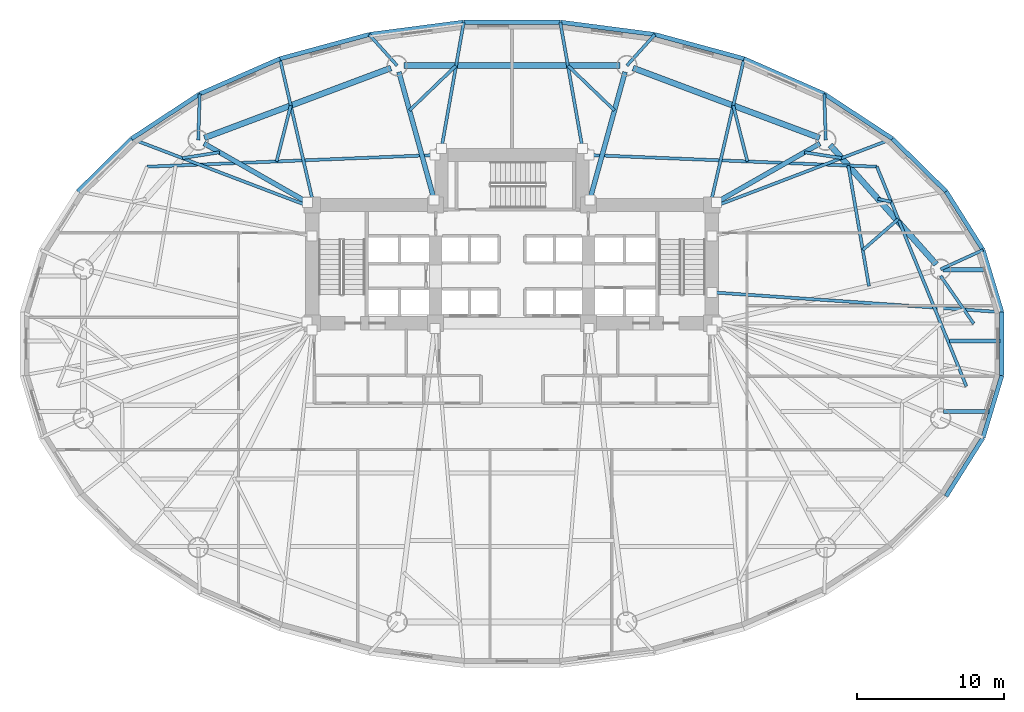
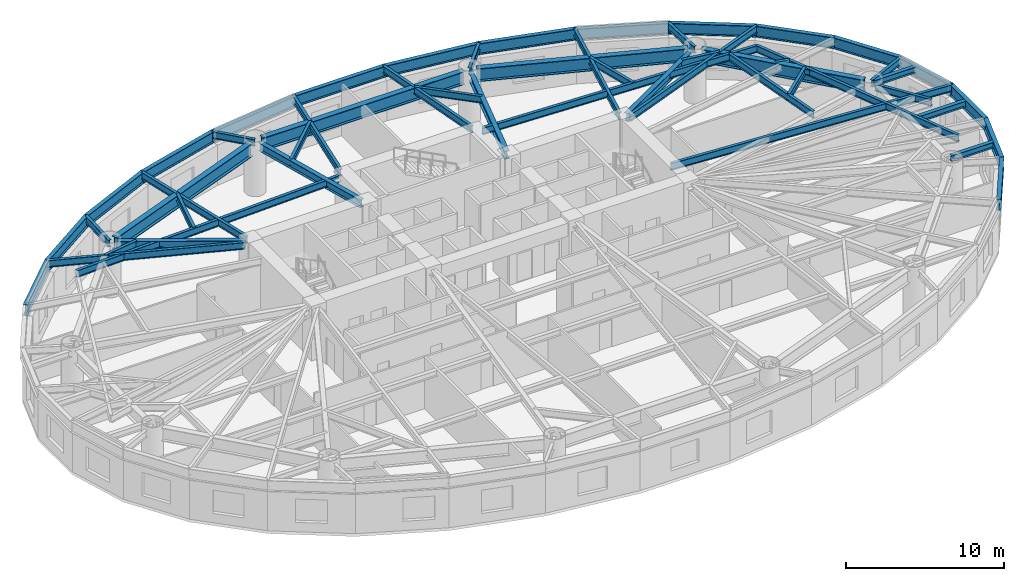
# One storey, part 3 of 14: 52 beams.
"""IFC4 building model written with IfcOpenShell, lengths in metres."""

from ifc_helpers import new_model, si_unit, direction, frame, origin, origin_2d, place, context, subcontext, project, spatial, i_section, extrude, material, material_profile, profile_set, type_object, element, save


model = new_model("IFC4")

# Units and contexts
model_context = context("Model", 3, precision=1e-05, world=origin(), true_north=direction((0.0, 1.0)))
body_context = subcontext(model_context, "Body", "Model", "MODEL_VIEW")
ifc_project = project(units=[si_unit("LENGTHUNIT", "METRE"), si_unit("AREAUNIT", "SQUARE_METRE"), si_unit("VOLUMEUNIT", "CUBIC_METRE"), si_unit("PLANEANGLEUNIT", "RADIAN"), si_unit("MASSUNIT", "GRAM", prefix="KILO")], contexts=[model_context])

# Site, building, storey
site_placement = place(None, origin())
site = spatial("IfcSite", under=ifc_project, at=site_placement, CompositionType="ELEMENT")
building_placement = place(site_placement, origin())
building = spatial("IfcBuilding", under=site, at=building_placement, Name="Keldmark Tower", CompositionType="ELEMENT")
storey_placement = place(building_placement, frame((0.0, 0.0, 14.39990234375)))
storey = spatial("IfcBuildingStorey", under=building, at=storey_placement, Name="L03", CompositionType="ELEMENT", Elevation=14.39990234375)

# Beams
ifc_material_1 = material(Name="Steel ASTM A992 Grade 50", Category="steel")
ifc_material_profile_1 = material_profile(ifc_material_1, i_section(OverallWidth=0.280029296875, OverallDepth=0.462890625, WebThickness=0.0107421875, FlangeThickness=0.017333984375, at=origin_2d()), Name="W18X76")
ifc_profile_set_1 = profile_set([ifc_material_profile_1], Name="Steel ASTM A992 Grade 50")
beam_type_1 = type_object("IfcBeamType", Name="Composite Floor Joist W18X76", PredefinedType="JOIST", material=ifc_profile_set_1)
beam_1_placement = place(storey_placement, frame((29.363037109375, -4.60009765625, 3.74853515625), z_axis=(1.0, 0.0, 0.0), x_axis=(0.0, 1.0, 0.0)))
element("IfcBeam", 1, at=beam_1_placement, inside=storey, type_object=beam_type_1, Name="L03 Composite Floor Joist J25", PredefinedType="JOIST", context=body_context, shape_type="SweptSolid", body=[
    extrude(i_section(OverallWidth=0.280029296875, OverallDepth=0.462890625, WebThickness=0.0107421875, FlangeThickness=0.017333984375, at=origin_2d()), origin(), (0.0, 0.0, 1.0), 3.092041015625),
])
beam_2_placement = place(storey_placement, frame((29.77001953125, 0.199951171875, 3.74853515625), z_axis=(1.0, 0.0, 0.0), x_axis=(0.0, 1.0, 0.0)))
element("IfcBeam", 2, at=beam_2_placement, inside=storey, type_object=beam_type_1, Name="L03 Composite Floor Joist J27", PredefinedType="JOIST", context=body_context, shape_type="SweptSolid", body=[
    extrude(i_section(OverallWidth=0.280029296875, OverallDepth=0.462890625, WebThickness=0.0107421875, FlangeThickness=0.017333984375, at=origin_2d()), origin(), (0.0, 0.0, 1.0), 3.431640625),
])
beam_3_placement = place(storey_placement, frame((29.337646484375, 5.0400390625, 3.74853515625), z_axis=(1.0, 0.0, 0.0), x_axis=(0.0, 1.0, 0.0)))
element("IfcBeam", 3, at=beam_3_placement, inside=storey, type_object=beam_type_1, Name="L03 Composite Floor Joist J29", PredefinedType="JOIST", context=body_context, shape_type="SweptSolid", body=[
    extrude(i_section(OverallWidth=0.280029296875, OverallDepth=0.462890625, WebThickness=0.0107421875, FlangeThickness=0.017333984375, at=origin_2d()), origin(), (0.0, 0.0, 1.0), 2.984375),
])
ifc_material_2 = material(Name="Steel ASTM A992 Grade 50", Category="steel")
ifc_material_profile_2 = material_profile(ifc_material_2, i_section(OverallWidth=0.402099609375, OverallDepth=1.011962890625, WebThickness=0.023681640625, FlangeThickness=0.0419921875, at=origin_2d()), Name="W40X297")
ifc_profile_set_2 = profile_set([ifc_material_profile_2], Name="Steel ASTM A992 Grade 50")
beam_type_2 = type_object("IfcBeamType", Name="Podium Primary Girder W40X297", PredefinedType="BEAM", material=ifc_profile_set_2)
beam_4_placement = place(storey_placement, frame((28.871826171875, 5.4091796875, 3.47412109375), z_axis=(-0.66464984112, 0.747154996436, 0.0), x_axis=(-0.747154996436, -0.66464984112, 0.0)))
element("IfcBeam", 4, at=beam_4_placement, inside=storey, type_object=beam_type_2, Name="L03 Podium Ring Girder PG-R01", PredefinedType="BEAM", context=body_context, shape_type="SweptSolid", body=[
    extrude(i_section(OverallWidth=0.402099609375, OverallDepth=1.011962890625, WebThickness=0.023681640625, FlangeThickness=0.0419921875, at=origin_2d()), origin(), (0.0, 0.0, 1.0), 10.85986328125),
])
beam_5_placement = place(storey_placement, frame((20.93310546875, 14.01708984375, 3.47412109375), z_axis=(-0.936417954382, 0.350886612329, 0.0), x_axis=(-0.350886612329, -0.936417954382, 0.0)))
element("IfcBeam", 5, at=beam_5_placement, inside=storey, type_object=beam_type_2, Name="L03 Podium Ring Girder PG-R02", PredefinedType="BEAM", context=body_context, shape_type="SweptSolid", body=[
    extrude(i_section(OverallWidth=0.402099609375, OverallDepth=1.011962890625, WebThickness=0.023681640625, FlangeThickness=0.0419921875, at=origin_2d()), origin(), (0.0, 0.0, 1.0), 13.557373046875),
])
beam_6_placement = place(storey_placement, frame((7.3662109375, 18.93212890625, 3.47412109375), z_axis=(-1.0, 0.0, 0.0), x_axis=(0.0, -1.0, 0.0)))
element("IfcBeam", 6, at=beam_6_placement, inside=storey, type_object=beam_type_2, Name="L03 Podium Ring Girder PG-R03", PredefinedType="BEAM", context=body_context, shape_type="SweptSolid", body=[
    extrude(i_section(OverallWidth=0.402099609375, OverallDepth=1.011962890625, WebThickness=0.023681640625, FlangeThickness=0.0419921875, at=origin_2d()), origin(), (0.0, 0.0, 1.0), 14.732421875),
])
beam_7_placement = place(storey_placement, frame((-8.23779296875, 18.774169921875, 3.47412109375), z_axis=(-0.936417954382, -0.350886612329, 0.0), x_axis=(0.350886612329, -0.936417954382, 0.0)))
element("IfcBeam", 7, at=beam_7_placement, inside=storey, type_object=beam_type_2, Name="L03 Podium Ring Girder PG-R04", PredefinedType="BEAM", context=body_context, shape_type="SweptSolid", body=[
    extrude(i_section(OverallWidth=0.402099609375, OverallDepth=1.011962890625, WebThickness=0.023681640625, FlangeThickness=0.0419921875, at=origin_2d()), origin(), (0.0, 0.0, 1.0), 13.557373046875),
])
ifc_material_3 = material(Name="Steel ASTM A992 Grade 50", Category="steel")
ifc_material_profile_3 = material_profile(ifc_material_3, i_section(OverallWidth=0.2099609375, OverallDepth=0.537109375, WebThickness=0.010986328125, FlangeThickness=0.017333984375, at=origin_2d()), Name="W21X68")
ifc_profile_set_3 = profile_set([ifc_material_profile_3], Name="Steel ASTM A992 Grade 50")
beam_type_3 = type_object("IfcBeamType", Name="Radial Tie Girder W21X68", PredefinedType="BEAM", material=ifc_profile_set_3)
beam_8_placement = place(storey_placement, frame((24.29541015625, 3.9228515625, 3.711669921875), z_axis=(-0.168727090465, 0.985662806919, 0.0), x_axis=(-0.985662806919, -0.168727090465, 0.0)))
element("IfcBeam", 8, at=beam_8_placement, inside=storey, type_object=beam_type_3, Name="L03 Framing Pin Header PH-001", PredefinedType="BEAM", context=body_context, shape_type="SweptSolid", body=[
    extrude(i_section(OverallWidth=0.2099609375, OverallDepth=0.537109375, WebThickness=0.010986328125, FlangeThickness=0.017333984375, at=origin_2d()), origin(), (0.0, 0.0, 1.0), 8.330078125),
])
for number, where, z_axis, x_axis, name in (
    (9, (5.25, 12.85009765625, 3.711669921875), (0.999176318744, -0.040579355112, 0.0), (0.040579355112, 0.999176318744, 0.0), "L03 Sub-Ring Step Girder STP1-M01"),
    (10, (-5.25, 12.85009765625, 3.711669921875), (-0.999176318744, -0.040579355112, 0.0), (0.040579355112, -0.999176318744, 0.0), "L03 Sub-Ring Step Girder STP1-M06"),
):
    element("IfcBeam", number, at=place(storey_placement, frame(where, z_axis=z_axis, x_axis=x_axis)), inside=storey, type_object=beam_type_3, Name=name, PredefinedType="BEAM", context=body_context, shape_type="SweptSolid", body=[
        extrude(i_section(OverallWidth=0.2099609375, OverallDepth=0.537109375, WebThickness=0.010986328125, FlangeThickness=0.017333984375, at=origin_2d()), origin(), (0.0, 0.0, 1.0), 19.601318359375),
    ])
beam_9_placement = place(storey_placement, frame((30.923583984375, -2.885986328125, 3.711669921875), z_axis=(-0.377373313858, 0.926061219352, 0.0), x_axis=(-0.926061219352, -0.377373313858, 0.0)))
element("IfcBeam", 11, at=beam_9_placement, inside=storey, type_object=beam_type_3, Name="L03 Perimeter Collector Ring Beam CRG1-M12", PredefinedType="BEAM", context=body_context, shape_type="SweptSolid", body=[
    extrude(i_section(OverallWidth=0.2099609375, OverallDepth=0.537109375, WebThickness=0.010986328125, FlangeThickness=0.017333984375, at=origin_2d()), origin(), (0.0, 0.0, 1.0), 16.133544921875),
])
beam_10_placement = place(storey_placement, frame((23.873779296875, 6.385986328125, 3.711669921875), z_axis=(0.75360521116, 0.657327304859, 0.0), x_axis=(-0.657327304859, 0.75360521116, 0.0)))
element("IfcBeam", 12, at=beam_10_placement, inside=storey, type_object=beam_type_3, Name="L03 Framing Pin Header PH-005", PredefinedType="BEAM", context=body_context, shape_type="SweptSolid", body=[
    extrude(i_section(OverallWidth=0.2099609375, OverallDepth=0.537109375, WebThickness=0.010986328125, FlangeThickness=0.017333984375, at=origin_2d()), origin(), (0.0, 0.0, 1.0), 3.20263671875),
])
beam_11_placement = place(storey_placement, frame((29.1708984375, 4.622802734375, 3.711669921875), z_axis=(0.569736780414, -0.821827233087, 0.0), x_axis=(0.821827233087, 0.569736780414, 0.0)))
element("IfcBeam", 13, at=beam_11_placement, inside=storey, type_object=beam_type_3, Name="L03 Local Collector Chord RT-01C", PredefinedType="BEAM", context=body_context, shape_type="SweptSolid", body=[
    extrude(i_section(OverallWidth=0.2099609375, OverallDepth=0.537109375, WebThickness=0.010986328125, FlangeThickness=0.017333984375, at=origin_2d()), origin(), (0.0, 0.0, 1.0), 3.951416015625),
])
beam_12_placement = place(storey_placement, frame((13.60009765625, 3.507080078125, 3.711669921875), z_axis=(0.99766727611, -0.068264237918, 0.0), x_axis=(0.068264237918, 0.99766727611, 0.0)))
element("IfcBeam", 14, at=beam_12_placement, inside=storey, type_object=beam_type_3, Name="L03 Perimeter Radial Tie Girder RT-01", PredefinedType="BEAM", context=body_context, shape_type="SweptSolid", body=[
    extrude(i_section(OverallWidth=0.2099609375, OverallDepth=0.537109375, WebThickness=0.010986328125, FlangeThickness=0.017333984375, at=origin_2d()), origin(), (0.0, 0.0, 1.0), 19.78466796875),
])
beam_13_placement = place(storey_placement, frame((29.1708984375, 5.072998046875, 3.711669921875), z_axis=(0.910237250682, 0.414087125458, 0.0), x_axis=(-0.414087125458, 0.910237250682, 0.0)))
element("IfcBeam", 15, at=beam_13_placement, inside=storey, type_object=beam_type_3, Name="L03 Perimeter Column Bracket RT-02", PredefinedType="BEAM", context=body_context, shape_type="SweptSolid", body=[
    extrude(i_section(OverallWidth=0.2099609375, OverallDepth=0.537109375, WebThickness=0.010986328125, FlangeThickness=0.017333984375, at=origin_2d()), origin(), (0.0, 0.0, 1.0), 3.17138671875),
])
beam_14_placement = place(storey_placement, frame((24.90185546875, 9.871826171875, 3.711669921875), z_axis=(0.974258642334, -0.225433133848, 0.0), x_axis=(0.225433133848, 0.974258642334, 0.0)))
element("IfcBeam", 16, at=beam_14_placement, inside=storey, type_object=beam_type_3, Name="L03 Framing Pin Header PH-009", PredefinedType="BEAM", context=body_context, shape_type="SweptSolid", body=[
    extrude(i_section(OverallWidth=0.2099609375, OverallDepth=0.537109375, WebThickness=0.010986328125, FlangeThickness=0.017333984375, at=origin_2d()), origin(), (0.0, 0.0, 1.0), 0.932373046875),
])
beam_15_placement = place(storey_placement, frame((19.904541015625, 13.034912109375, 3.711669921875), z_axis=(0.988136063904, -0.153580985843, 0.0), x_axis=(0.153580985843, 0.988136063904, 0.0)))
element("IfcBeam", 17, at=beam_15_placement, inside=storey, type_object=beam_type_3, Name="L03 Framing Pin Header PH-010", PredefinedType="BEAM", context=body_context, shape_type="SweptSolid", body=[
    extrude(i_section(OverallWidth=0.2099609375, OverallDepth=0.537109375, WebThickness=0.010986328125, FlangeThickness=0.017333984375, at=origin_2d()), origin(), (0.0, 0.0, 1.0), 2.564208984375),
])
beam_16_placement = place(storey_placement, frame((14.050048828125, 9.449951171875, 3.711669921875), z_axis=(0.934642662924, 0.355588375293, 0.0), x_axis=(-0.355588375293, 0.934642662924, 0.0)))
element("IfcBeam", 18, at=beam_16_placement, inside=storey, type_object=beam_type_3, Name="L03 Perimeter Radial Tie Girder RT-04", PredefinedType="BEAM", context=body_context, shape_type="SweptSolid", body=[
    extrude(i_section(OverallWidth=0.2099609375, OverallDepth=0.537109375, WebThickness=0.010986328125, FlangeThickness=0.017333984375, at=origin_2d()), origin(), (0.0, 0.0, 1.0), 12.67431640625),
])
beam_17_placement = place(storey_placement, frame((21.3544921875, 13.859375, 3.711669921875), z_axis=(-0.032491176768, 0.999472022336, 0.0), x_axis=(-0.999472022336, -0.032491176768, 0.0)))
element("IfcBeam", 19, at=beam_17_placement, inside=storey, type_object=beam_type_3, Name="L03 Perimeter Column Bracket RT-05", PredefinedType="BEAM", context=body_context, shape_type="SweptSolid", body=[
    extrude(i_section(OverallWidth=0.2099609375, OverallDepth=0.537109375, WebThickness=0.010986328125, FlangeThickness=0.017333984375, at=origin_2d()), origin(), (0.0, 0.0, 1.0), 3.1484375),
])
beam_18_placement = place(storey_placement, frame((16.02197265625, 12.41259765625, 3.711669921875), z_axis=(-0.245606779521, 0.969369542462, 0.0), x_axis=(-0.969369542462, -0.245606779521, 0.0)))
element("IfcBeam", 20, at=beam_18_placement, inside=storey, type_object=beam_type_3, Name="L03 Framing Pin Header PH-011", PredefinedType="BEAM", context=body_context, shape_type="SweptSolid", body=[
    extrude(i_section(OverallWidth=0.2099609375, OverallDepth=0.537109375, WebThickness=0.010986328125, FlangeThickness=0.017333984375, at=origin_2d()), origin(), (0.0, 0.0, 1.0), 3.926513671875),
])
beam_19_placement = place(storey_placement, frame((13.60009765625, 9.89990234375, 3.711669921875), z_axis=(0.224740658325, 0.974418614608, 0.0), x_axis=(-0.974418614608, 0.224740658325, 0.0)))
element("IfcBeam", 21, at=beam_19_placement, inside=storey, type_object=beam_type_3, Name="L03 Perimeter Radial Tie Girder RT-06", PredefinedType="BEAM", context=body_context, shape_type="SweptSolid", body=[
    extrude(i_section(OverallWidth=0.2099609375, OverallDepth=0.537109375, WebThickness=0.010986328125, FlangeThickness=0.017333984375, at=origin_2d()), origin(), (0.0, 0.0, 1.0), 9.751953125),
])
beam_20_placement = place(storey_placement, frame((7.81640625, 18.93212890625, 3.711669921875), z_axis=(0.668898533975, 0.743353718795, 0.0), x_axis=(-0.743353718795, 0.668898533975, 0.0)))
element("IfcBeam", 22, at=beam_20_placement, inside=storey, type_object=beam_type_3, Name="L03 Perimeter Column Bracket RT-07", PredefinedType="BEAM", context=body_context, shape_type="SweptSolid", body=[
    extrude(i_section(OverallWidth=0.2099609375, OverallDepth=0.537109375, WebThickness=0.010986328125, FlangeThickness=0.017333984375, at=origin_2d()), origin(), (0.0, 0.0, 1.0), 2.852783203125),
])
beam_21_placement = place(storey_placement, frame((6.9755859375, 15.885009765625, 3.711669921875), z_axis=(-0.720880013375, 0.69305988653, 0.0), x_axis=(-0.69305988653, -0.720880013375, 0.0)))
element("IfcBeam", 23, at=beam_21_placement, inside=storey, type_object=beam_type_3, Name="L03 Framing Pin Header PH-012", PredefinedType="BEAM", context=body_context, shape_type="SweptSolid", body=[
    extrude(i_section(OverallWidth=0.2099609375, OverallDepth=0.537109375, WebThickness=0.010986328125, FlangeThickness=0.017333984375, at=origin_2d()), origin(), (0.0, 0.0, 1.0), 4.396728515625),
])
beam_22_placement = place(storey_placement, frame((4.800048828125, 13.300048828125, 3.711669921875), z_axis=(-0.173759798583, 0.984788064711, 0.0), x_axis=(-0.984788064711, -0.173759798583, 0.0)))
element("IfcBeam", 24, at=beam_22_placement, inside=storey, type_object=beam_type_3, Name="L03 Perimeter Radial Tie Girder RT-08", PredefinedType="BEAM", context=body_context, shape_type="SweptSolid", body=[
    extrude(i_section(OverallWidth=0.2099609375, OverallDepth=0.537109375, WebThickness=0.010986328125, FlangeThickness=0.017333984375, at=origin_2d()), origin(), (0.0, 0.0, 1.0), 8.726806640625),
])
beam_23_placement = place(storey_placement, frame((-6.9755859375, 15.885009765625, 3.711669921875), z_axis=(0.720880013375, 0.69305988653, 0.0), x_axis=(-0.69305988653, 0.720880013375, 0.0)))
element("IfcBeam", 25, at=beam_23_placement, inside=storey, type_object=beam_type_3, Name="L03 Framing Pin Header PH-013", PredefinedType="BEAM", context=body_context, shape_type="SweptSolid", body=[
    extrude(i_section(OverallWidth=0.2099609375, OverallDepth=0.537109375, WebThickness=0.010986328125, FlangeThickness=0.017333984375, at=origin_2d()), origin(), (0.0, 0.0, 1.0), 4.396728515625),
])
beam_24_placement = place(storey_placement, frame((-4.800048828125, 13.300048828125, 3.711669921875), z_axis=(0.173759798583, 0.984788064711, 0.0), x_axis=(-0.984788064711, 0.173759798583, 0.0)))
element("IfcBeam", 26, at=beam_24_placement, inside=storey, type_object=beam_type_3, Name="L03 Perimeter Radial Tie Girder RT-09", PredefinedType="BEAM", context=body_context, shape_type="SweptSolid", body=[
    extrude(i_section(OverallWidth=0.2099609375, OverallDepth=0.537109375, WebThickness=0.010986328125, FlangeThickness=0.017333984375, at=origin_2d()), origin(), (0.0, 0.0, 1.0), 8.726806640625),
])
beam_25_placement = place(storey_placement, frame((-7.81640625, 18.93212890625, 3.711669921875), z_axis=(-0.668898533975, 0.743353718795, 0.0), x_axis=(-0.743353718795, -0.668898533975, 0.0)))
element("IfcBeam", 27, at=beam_25_placement, inside=storey, type_object=beam_type_3, Name="L03 Perimeter Column Bracket RT-10", PredefinedType="BEAM", context=body_context, shape_type="SweptSolid", body=[
    extrude(i_section(OverallWidth=0.2099609375, OverallDepth=0.537109375, WebThickness=0.010986328125, FlangeThickness=0.017333984375, at=origin_2d()), origin(), (0.0, 0.0, 1.0), 2.852783203125),
])
beam_26_placement = place(storey_placement, frame((-16.02197265625, 12.41259765625, 3.711669921875), z_axis=(0.245606779521, 0.969369542462, 0.0), x_axis=(-0.969369542462, 0.245606779521, 0.0)))
element("IfcBeam", 28, at=beam_26_placement, inside=storey, type_object=beam_type_3, Name="L03 Framing Pin Header PH-014", PredefinedType="BEAM", context=body_context, shape_type="SweptSolid", body=[
    extrude(i_section(OverallWidth=0.2099609375, OverallDepth=0.537109375, WebThickness=0.010986328125, FlangeThickness=0.017333984375, at=origin_2d()), origin(), (0.0, 0.0, 1.0), 3.926513671875),
])
beam_27_placement = place(storey_placement, frame((-13.60009765625, 9.89990234375, 3.711669921875), z_axis=(-0.224740658325, 0.974418614608, 0.0), x_axis=(-0.974418614608, -0.224740658325, 0.0)))
element("IfcBeam", 29, at=beam_27_placement, inside=storey, type_object=beam_type_3, Name="L03 Perimeter Radial Tie Girder RT-11", PredefinedType="BEAM", context=body_context, shape_type="SweptSolid", body=[
    extrude(i_section(OverallWidth=0.2099609375, OverallDepth=0.537109375, WebThickness=0.010986328125, FlangeThickness=0.017333984375, at=origin_2d()), origin(), (0.0, 0.0, 1.0), 9.751953125),
])
beam_28_placement = place(storey_placement, frame((-21.3544921875, 13.859375, 3.711669921875), z_axis=(0.032491176768, 0.999472022336, 0.0), x_axis=(-0.999472022336, 0.032491176768, 0.0)))
element("IfcBeam", 30, at=beam_28_placement, inside=storey, type_object=beam_type_3, Name="L03 Perimeter Column Bracket RT-12", PredefinedType="BEAM", context=body_context, shape_type="SweptSolid", body=[
    extrude(i_section(OverallWidth=0.2099609375, OverallDepth=0.537109375, WebThickness=0.010986328125, FlangeThickness=0.017333984375, at=origin_2d()), origin(), (0.0, 0.0, 1.0), 3.1484375),
])
beam_29_placement = place(storey_placement, frame((-19.904541015625, 13.034912109375, 3.711669921875), z_axis=(-0.988136063904, -0.153580985843, 0.0), x_axis=(0.153580985843, -0.988136063904, 0.0)))
element("IfcBeam", 31, at=beam_29_placement, inside=storey, type_object=beam_type_3, Name="L03 Framing Pin Header PH-015", PredefinedType="BEAM", context=body_context, shape_type="SweptSolid", body=[
    extrude(i_section(OverallWidth=0.2099609375, OverallDepth=0.537109375, WebThickness=0.010986328125, FlangeThickness=0.017333984375, at=origin_2d()), origin(), (0.0, 0.0, 1.0), 2.564208984375),
])
beam_30_placement = place(storey_placement, frame((-14.050048828125, 9.449951171875, 3.711669921875), z_axis=(-0.934642662924, 0.355588375293, 0.0), x_axis=(-0.355588375293, -0.934642662924, 0.0)))
element("IfcBeam", 32, at=beam_30_placement, inside=storey, type_object=beam_type_3, Name="L03 Perimeter Radial Tie Girder RT-13", PredefinedType="BEAM", context=body_context, shape_type="SweptSolid", body=[
    extrude(i_section(OverallWidth=0.2099609375, OverallDepth=0.537109375, WebThickness=0.010986328125, FlangeThickness=0.017333984375, at=origin_2d()), origin(), (0.0, 0.0, 1.0), 12.67431640625),
])
ifc_material_4 = material(Name="Steel ASTM A992 Grade 50", Category="steel")
ifc_material_profile_4 = material_profile(ifc_material_4, i_section(OverallWidth=0.326904296875, OverallDepth=0.6220703125, WebThickness=0.015380859375, FlangeThickness=0.0244140625, at=origin_2d()), Name="W24X131")
ifc_profile_set_4 = profile_set([ifc_material_profile_4], Name="Steel ASTM A992 Grade 50")
beam_type_4 = type_object("IfcBeamType", Name="Spandrel Ring Beam W24X131", PredefinedType="SPANDREL", material=ifc_profile_set_4)
beam_31_placement = place(storey_placement, frame((20.96337890625, 13.636962890625, 3.669189453125), z_axis=(-0.869293918493, -0.494295542434, 0.0), x_axis=(0.494295542434, -0.869293918493, 0.0)))
element("IfcBeam", 33, at=beam_31_placement, inside=storey, type_object=beam_type_4, Name="L03 Podium Radial Girder PG-C02", PredefinedType="SPANDREL", context=body_context, shape_type="SweptSolid", body=[
    extrude(i_section(OverallWidth=0.326904296875, OverallDepth=0.6220703125, WebThickness=0.015380859375, FlangeThickness=0.0244140625, at=origin_2d()), origin(), (0.0, 0.0, 1.0), 8.120361328125),
])
for number, where, z_axis, x_axis, name in (
    (34, (7.696533203125, 18.498291015625, 3.669189453125), (-0.265960165124, -0.963984019871, 0.0), (0.963984019871, -0.265960165124, 0.0), "L03 Podium Radial Girder PG-C03"),
    (35, (-7.696533203125, 18.498291015625, 3.669189453125), (0.265960165124, -0.963984019871, 0.0), (0.963984019871, 0.265960165124, 0.0), "L03 Podium Radial Girder PG-C04"),
):
    element("IfcBeam", number, at=place(storey_placement, frame(where, z_axis=z_axis, x_axis=x_axis)), inside=storey, type_object=beam_type_4, Name=name, PredefinedType="SPANDREL", context=body_context, shape_type="SweptSolid", body=[
        extrude(i_section(OverallWidth=0.326904296875, OverallDepth=0.6220703125, WebThickness=0.015380859375, FlangeThickness=0.0244140625, at=origin_2d()), origin(), (0.0, 0.0, 1.0), 9.036376953125),
    ])
beam_32_placement = place(storey_placement, frame((-20.96337890625, 13.636962890625, 3.669189453125), z_axis=(0.869293918493, -0.494295542434, 0.0), x_axis=(0.494295542434, 0.869293918493, 0.0)))
element("IfcBeam", 36, at=beam_32_placement, inside=storey, type_object=beam_type_4, Name="L03 Podium Radial Girder PG-C05", PredefinedType="SPANDREL", context=body_context, shape_type="SweptSolid", body=[
    extrude(i_section(OverallWidth=0.326904296875, OverallDepth=0.6220703125, WebThickness=0.015380859375, FlangeThickness=0.0244140625, at=origin_2d()), origin(), (0.0, 0.0, 1.0), 8.120361328125),
])
ifc_material_5 = material(Name="Steel ASTM A992 Grade 50", Category="steel")
ifc_material_profile_5 = material_profile(ifc_material_5, i_section(OverallWidth=0.2919921875, OverallDepth=0.85888671875, WebThickness=0.01708984375, FlangeThickness=0.031005859375, at=origin_2d()), Name="W33X169")
ifc_profile_set_5 = profile_set([ifc_material_profile_5], Name="Steel ASTM A992 Grade 50")
beam_type_5 = type_object("IfcBeamType", Name="Spandrel Ring Beam W33X169", PredefinedType="SPANDREL", material=ifc_profile_set_5)
beam_33_placement = place(storey_placement, frame((33.338623046875, 2.156494140625, 3.550537109375), z_axis=(-0.289855603468, 0.957070388811, 0.0), x_axis=(-0.957070388811, -0.289855603468, 0.0)))
element("IfcBeam", 37, at=beam_33_placement, inside=storey, type_object=beam_type_5, Name="L03 Perimeter Spandrel Ring Beam SRB-01", PredefinedType="SPANDREL", context=body_context, shape_type="SweptSolid", body=[
    extrude(i_section(OverallWidth=0.2919921875, OverallDepth=0.85888671875, WebThickness=0.01708984375, FlangeThickness=0.031005859375, at=origin_2d()), origin(), (0.0, 0.0, 1.0), 4.41943359375),
])
beam_34_placement = place(storey_placement, frame((32.0576171875, 6.38623046875, 3.550537109375), z_axis=(-0.53349762721, 0.845801561693, 0.0), x_axis=(-0.845801561693, -0.53349762721, 0.0)))
element("IfcBeam", 38, at=beam_34_placement, inside=storey, type_object=beam_type_5, Name="L03 Perimeter Spandrel Ring Beam SRB-02", PredefinedType="SPANDREL", context=body_context, shape_type="SweptSolid", body=[
    extrude(i_section(OverallWidth=0.2919921875, OverallDepth=0.85888671875, WebThickness=0.01708984375, FlangeThickness=0.031005859375, at=origin_2d()), origin(), (0.0, 0.0, 1.0), 4.710693359375),
])
beam_35_placement = place(storey_placement, frame((29.54443359375, 10.37060546875, 3.550537109375), z_axis=(-0.713165222071, 0.700995981464, 0.0), x_axis=(-0.700995981464, -0.713165222071, 0.0)))
element("IfcBeam", 39, at=beam_35_placement, inside=storey, type_object=beam_type_5, Name="L03 Perimeter Spandrel Ring Beam SRB-03", PredefinedType="SPANDREL", context=body_context, shape_type="SweptSolid", body=[
    extrude(i_section(OverallWidth=0.2919921875, OverallDepth=0.85888671875, WebThickness=0.01708984375, FlangeThickness=0.031005859375, at=origin_2d()), origin(), (0.0, 0.0, 1.0), 5.11572265625),
])
beam_36_placement = place(storey_placement, frame((25.89599609375, 13.956787109375, 3.550537109375), z_axis=(-0.835897322981, 0.548885840073, 0.0), x_axis=(-0.548885840073, -0.835897322981, 0.0)))
element("IfcBeam", 40, at=beam_36_placement, inside=storey, type_object=beam_type_5, Name="L03 Perimeter Spandrel Ring Beam SRB-04", PredefinedType="SPANDREL", context=body_context, shape_type="SweptSolid", body=[
    extrude(i_section(OverallWidth=0.2919921875, OverallDepth=0.85888671875, WebThickness=0.01708984375, FlangeThickness=0.031005859375, at=origin_2d()), origin(), (0.0, 0.0, 1.0), 5.555419921875),
])
beam_37_placement = place(storey_placement, frame((21.252197265625, 17.006103515625, 3.550537109375), z_axis=(-0.91570760638, 0.401845218484, 0.0), x_axis=(-0.401845218484, -0.91570760638, 0.0)))
element("IfcBeam", 41, at=beam_37_placement, inside=storey, type_object=beam_type_5, Name="L03 Perimeter Spandrel Ring Beam SRB-05", PredefinedType="SPANDREL", context=body_context, shape_type="SweptSolid", body=[
    extrude(i_section(OverallWidth=0.2919921875, OverallDepth=0.85888671875, WebThickness=0.01708984375, FlangeThickness=0.031005859375, at=origin_2d()), origin(), (0.0, 0.0, 1.0), 5.963134765625),
])
beam_38_placement = place(storey_placement, frame((15.791748046875, 19.40234375, 3.550537109375), z_axis=(-0.964936550718, 0.262483243445, 0.0), x_axis=(-0.262483243445, -0.964936550718, 0.0)))
element("IfcBeam", 42, at=beam_38_placement, inside=storey, type_object=beam_type_5, Name="L03 Perimeter Spandrel Ring Beam SRB-06", PredefinedType="SPANDREL", context=body_context, shape_type="SweptSolid", body=[
    extrude(i_section(OverallWidth=0.2919921875, OverallDepth=0.85888671875, WebThickness=0.01708984375, FlangeThickness=0.031005859375, at=origin_2d()), origin(), (0.0, 0.0, 1.0), 6.28759765625),
])
beam_39_placement = place(storey_placement, frame((9.724609375, 21.052734375, 3.550537109375), z_axis=(-0.991576921472, 0.129519144545, 0.0), x_axis=(-0.129519144545, -0.991576921472, 0.0)))
element("IfcBeam", 43, at=beam_39_placement, inside=storey, type_object=beam_type_5, Name="L03 Perimeter Spandrel Ring Beam SRB-07", PredefinedType="SPANDREL", context=body_context, shape_type="SweptSolid", body=[
    extrude(i_section(OverallWidth=0.2919921875, OverallDepth=0.85888671875, WebThickness=0.01708984375, FlangeThickness=0.031005859375, at=origin_2d()), origin(), (0.0, 0.0, 1.0), 6.49560546875),
])
beam_40_placement = place(storey_placement, frame((3.28369140625, 21.89404296875, 3.550537109375), z_axis=(-1.0, 0.0, 0.0), x_axis=(0.0, -1.0, 0.0)))
element("IfcBeam", 44, at=beam_40_placement, inside=storey, type_object=beam_type_5, Name="L03 Perimeter Spandrel Ring Beam SRB-08", PredefinedType="SPANDREL", context=body_context, shape_type="SweptSolid", body=[
    extrude(i_section(OverallWidth=0.2919921875, OverallDepth=0.85888671875, WebThickness=0.01708984375, FlangeThickness=0.031005859375, at=origin_2d()), origin(), (0.0, 0.0, 1.0), 6.5673828125),
])
beam_41_placement = place(storey_placement, frame((-3.28369140625, 21.89404296875, 3.550537109375), z_axis=(-0.991576921472, -0.129519144545, 0.0), x_axis=(0.129519144545, -0.991576921472, 0.0)))
element("IfcBeam", 45, at=beam_41_placement, inside=storey, type_object=beam_type_5, Name="L03 Perimeter Spandrel Ring Beam SRB-09", PredefinedType="SPANDREL", context=body_context, shape_type="SweptSolid", body=[
    extrude(i_section(OverallWidth=0.2919921875, OverallDepth=0.85888671875, WebThickness=0.01708984375, FlangeThickness=0.031005859375, at=origin_2d()), origin(), (0.0, 0.0, 1.0), 6.49560546875),
])
beam_42_placement = place(storey_placement, frame((-9.724609375, 21.052734375, 3.550537109375), z_axis=(-0.964936550718, -0.262483243445, 0.0), x_axis=(0.262483243445, -0.964936550718, 0.0)))
element("IfcBeam", 46, at=beam_42_placement, inside=storey, type_object=beam_type_5, Name="L03 Perimeter Spandrel Ring Beam SRB-10", PredefinedType="SPANDREL", context=body_context, shape_type="SweptSolid", body=[
    extrude(i_section(OverallWidth=0.2919921875, OverallDepth=0.85888671875, WebThickness=0.01708984375, FlangeThickness=0.031005859375, at=origin_2d()), origin(), (0.0, 0.0, 1.0), 6.28759765625),
])
beam_43_placement = place(storey_placement, frame((-15.791748046875, 19.40234375, 3.550537109375), z_axis=(-0.91570760638, -0.401845218484, 0.0), x_axis=(0.401845218484, -0.91570760638, 0.0)))
element("IfcBeam", 47, at=beam_43_placement, inside=storey, type_object=beam_type_5, Name="L03 Perimeter Spandrel Ring Beam SRB-11", PredefinedType="SPANDREL", context=body_context, shape_type="SweptSolid", body=[
    extrude(i_section(OverallWidth=0.2919921875, OverallDepth=0.85888671875, WebThickness=0.01708984375, FlangeThickness=0.031005859375, at=origin_2d()), origin(), (0.0, 0.0, 1.0), 5.963134765625),
])
beam_44_placement = place(storey_placement, frame((-21.252197265625, 17.006103515625, 3.550537109375), z_axis=(-0.835897322981, -0.548885840073, 0.0), x_axis=(0.548885840073, -0.835897322981, 0.0)))
element("IfcBeam", 48, at=beam_44_placement, inside=storey, type_object=beam_type_5, Name="L03 Perimeter Spandrel Ring Beam SRB-12", PredefinedType="SPANDREL", context=body_context, shape_type="SweptSolid", body=[
    extrude(i_section(OverallWidth=0.2919921875, OverallDepth=0.85888671875, WebThickness=0.01708984375, FlangeThickness=0.031005859375, at=origin_2d()), origin(), (0.0, 0.0, 1.0), 5.555419921875),
])
beam_45_placement = place(storey_placement, frame((-25.89599609375, 13.956787109375, 3.550537109375), z_axis=(-0.713165222071, -0.700995981464, 0.0), x_axis=(0.700995981464, -0.713165222071, 0.0)))
element("IfcBeam", 49, at=beam_45_placement, inside=storey, type_object=beam_type_5, Name="L03 Perimeter Spandrel Ring Beam SRB-13", PredefinedType="SPANDREL", context=body_context, shape_type="SweptSolid", body=[
    extrude(i_section(OverallWidth=0.2919921875, OverallDepth=0.85888671875, WebThickness=0.01708984375, FlangeThickness=0.031005859375, at=origin_2d()), origin(), (0.0, 0.0, 1.0), 5.11572265625),
])
beam_46_placement = place(storey_placement, frame((29.54443359375, -10.37060546875, 3.550537109375), z_axis=(0.53349762721, 0.845801561693, 0.0), x_axis=(-0.845801561693, 0.53349762721, 0.0)))
element("IfcBeam", 50, at=beam_46_placement, inside=storey, type_object=beam_type_5, Name="L03 Perimeter Spandrel Ring Beam SRB-30", PredefinedType="SPANDREL", context=body_context, shape_type="SweptSolid", body=[
    extrude(i_section(OverallWidth=0.2919921875, OverallDepth=0.85888671875, WebThickness=0.01708984375, FlangeThickness=0.031005859375, at=origin_2d()), origin(), (0.0, 0.0, 1.0), 4.710693359375),
])
beam_47_placement = place(storey_placement, frame((32.0576171875, -6.38623046875, 3.550537109375), z_axis=(0.289855603468, 0.957070388811, 0.0), x_axis=(-0.957070388811, 0.289855603468, 0.0)))
element("IfcBeam", 51, at=beam_47_placement, inside=storey, type_object=beam_type_5, Name="L03 Perimeter Spandrel Ring Beam SRB-31", PredefinedType="SPANDREL", context=body_context, shape_type="SweptSolid", body=[
    extrude(i_section(OverallWidth=0.2919921875, OverallDepth=0.85888671875, WebThickness=0.01708984375, FlangeThickness=0.031005859375, at=origin_2d()), origin(), (0.0, 0.0, 1.0), 4.41943359375),
])
beam_48_placement = place(storey_placement, frame((33.338623046875, -2.156494140625, 3.550537109375), z_axis=(0.0, 1.0, 0.0), x_axis=(-1.0, 0.0, 0.0)))
element("IfcBeam", 52, at=beam_48_placement, inside=storey, type_object=beam_type_5, Name="L03 Perimeter Spandrel Ring Beam SRB-32", PredefinedType="SPANDREL", context=body_context, shape_type="SweptSolid", body=[
    extrude(i_section(OverallWidth=0.2919921875, OverallDepth=0.85888671875, WebThickness=0.01708984375, FlangeThickness=0.031005859375, at=origin_2d()), origin(), (0.0, 0.0, 1.0), 4.31298828125),
])

save(model, "model.ifc")
